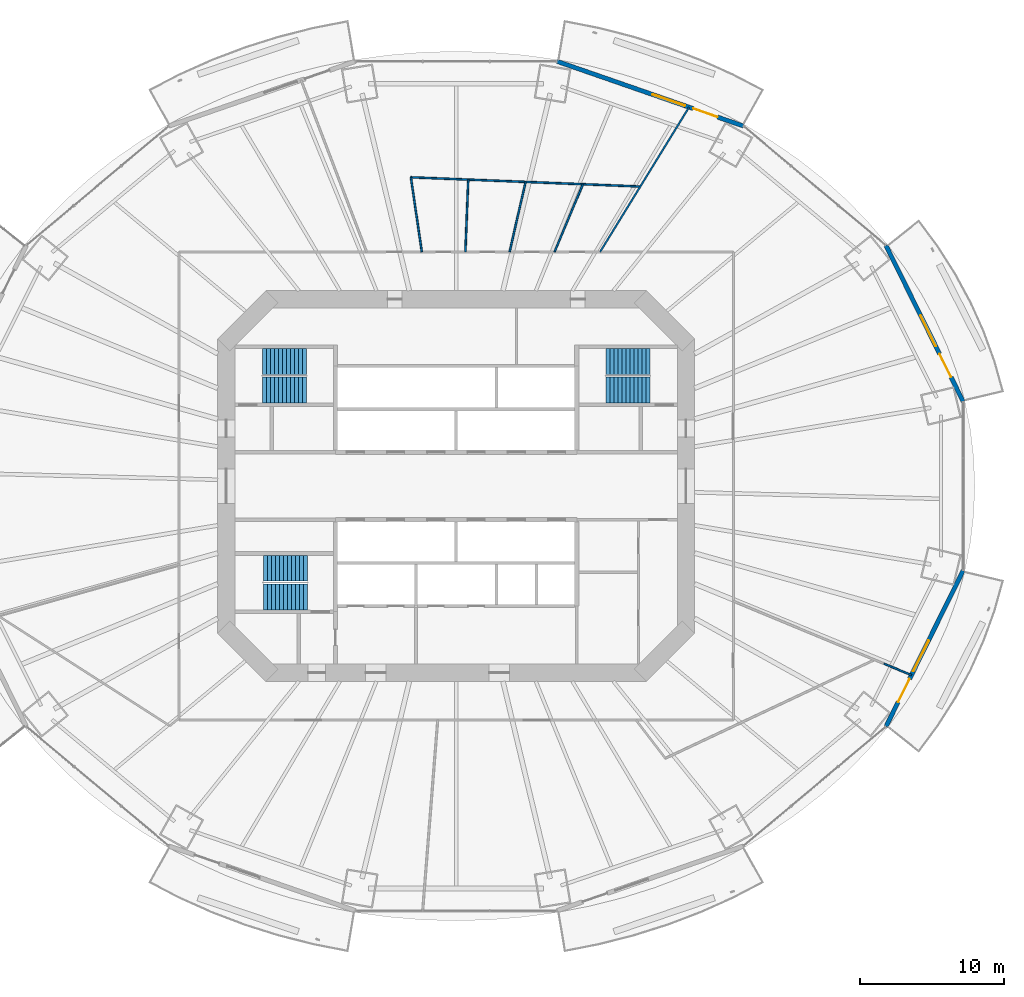
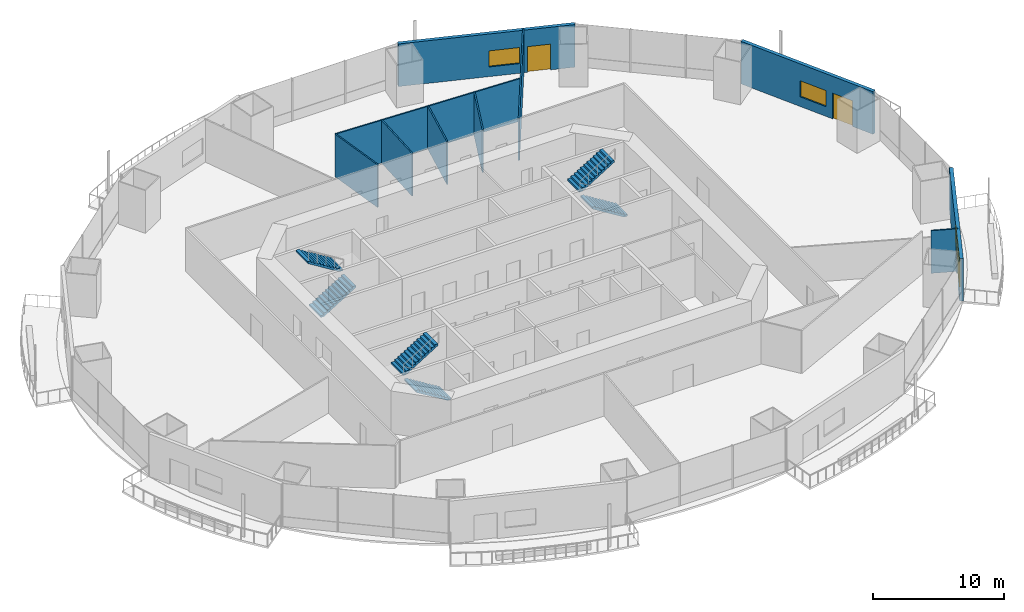
# One storey, part 17 of 23: 10 walls, 6 stair flights, 3 doors, 3 windows, 6 openings, 3 elements without a shape of their own.
"""IFC4 building model written with IfcOpenShell, lengths in metres."""

from ifc_helpers import new_model, si_unit, direction, frame, frame_2d, origin, place, context, subcontext, project, spatial, polyline, rectangle, outline, extrude, material, layer, layer_set, type_object, element, fill, aggregate, save


model = new_model("IFC4")

# Units and contexts
model_context = context("Model", 3, precision=1e-05, world=origin(), true_north=direction((0.0, 1.0)))
body_context = subcontext(model_context, "Body", "Model", "MODEL_VIEW")
ifc_project = project(units=[si_unit("LENGTHUNIT", "METRE"), si_unit("AREAUNIT", "SQUARE_METRE"), si_unit("VOLUMEUNIT", "CUBIC_METRE"), si_unit("PLANEANGLEUNIT", "RADIAN"), si_unit("MASSUNIT", "GRAM", prefix="KILO")], contexts=[model_context])

# Site, building, storey
site_placement = place(None, origin())
site = spatial("IfcSite", under=ifc_project, at=site_placement, CompositionType="ELEMENT")
building_placement = place(site_placement, origin())
building = spatial("IfcBuilding", under=site, at=building_placement, Name="Marenthal Gate Tower", CompositionType="ELEMENT")
storey_placement = place(building_placement, frame((0.0, 0.0, 66.199951171875)))
storey = spatial("IfcBuildingStorey", under=building, at=storey_placement, Name="L12", CompositionType="ELEMENT", Elevation=66.199951171875)

# Walls
ifc_material_1 = material(Name="Gypsum board on steel studs", Category="steel")
ifc_layer_1 = layer(ifc_material_1, 0.1201171875)
ifc_layer_set_1 = layer_set([ifc_layer_1], Name="Partition 120")
wall_type_1 = type_object("IfcWallType", Name="Partition 120", PredefinedType="PARTITIONING", material=ifc_layer_set_1)
wall_1_placement = place(storey_placement, frame((-3.151123046875, 21.496337890625, 0.0), z_axis=(0.0, 0.0, 1.0), x_axis=(0.145038947254, -0.989425946587, 0.0)))
element("IfcWall", 1, at=wall_1_placement, inside=storey, type_object=wall_type_1, Name="Partition wall 53", PredefinedType="PARTITIONING", context=body_context, shape_type="SweptSolid", body=[
    extrude(rectangle(XDim=5.251708984375, YDim=0.1201171875, at=frame_2d((2.6259765625, 0.0))), origin(), (0.0, 0.0, 1.0), 3.969970703125),
])
wall_2_placement = place(storey_placement, frame((0.842041015625, 21.335693359375, 0.0), z_axis=(0.0, 0.0, 1.0), x_axis=(-0.039434056556, -0.999222175086, 0.0)))
element("IfcWall", 2, at=wall_2_placement, inside=storey, type_object=wall_type_1, Name="Partition wall 55", PredefinedType="PARTITIONING", context=body_context, shape_type="SweptSolid", body=[
    extrude(rectangle(XDim=5.03955078125, YDim=0.1201171875, at=frame_2d((2.519775390625, 0.0))), origin(), (0.0, 0.0, 1.0), 3.969970703125),
])
wall_3_placement = place(storey_placement, frame((4.835205078125, 21.175048828125, 0.0), z_axis=(0.0, 0.0, 1.0), x_axis=(-0.222587494033, -0.974912717888, 0.0)))
element("IfcWall", 3, at=wall_3_placement, inside=storey, type_object=wall_type_1, Name="Partition wall 56", PredefinedType="PARTITIONING", context=body_context, shape_type="SweptSolid", body=[
    extrude(rectangle(XDim=5.00048828125, YDim=0.1201171875, at=frame_2d((2.500244140625, 0.0))), origin(), (0.0, 0.0, 1.0), 3.969970703125),
])
wall_4_placement = place(storey_placement, frame((8.82861328125, 21.014404296875, 0.0), z_axis=(0.0, 0.0, 1.0), x_axis=(-0.387346118672, -0.921934370956, 0.0)))
element("IfcWall", 4, at=wall_4_placement, inside=storey, type_object=wall_type_1, Name="Partition wall 57", PredefinedType="PARTITIONING", context=body_context, shape_type="SweptSolid", body=[
    extrude(rectangle(XDim=5.113525390625, YDim=0.1201171875, at=frame_2d((2.556640625, 0.0))), origin(), (0.0, 0.0, 1.0), 3.969970703125),
])
wall_5_placement = place(storey_placement, frame((10.021728515625, 16.300048828125, 0.0), z_axis=(0.0, 0.0, 1.0), x_axis=(0.523760062699, 0.851865832583, 0.0)))
element("IfcWall", 5, at=wall_5_placement, inside=storey, type_object=wall_type_1, Name="Partition wall 58", PredefinedType="PARTITIONING", context=body_context, shape_type="SweptSolid", body=[
    extrude(rectangle(XDim=11.831787109375, YDim=0.1201171875, at=frame_2d((5.916015625, 0.0))), origin(), (0.0, 0.0, 1.0), 3.969970703125),
])
wall_6_placement = place(storey_placement, frame((12.82177734375, 20.85400390625, 0.0), z_axis=(0.0, 0.0, 1.0), x_axis=(-0.999192397074, 0.040181508547, 0.0)))
element("IfcWall", 6, at=wall_6_placement, inside=storey, type_object=wall_type_1, Name="Partition wall 59", PredefinedType="PARTITIONING", context=body_context, shape_type="SweptSolid", body=[
    extrude(rectangle(XDim=15.98583984375, YDim=0.1201171875, at=frame_2d((7.992919921875, 0.0))), origin(), (0.0, 0.0, 1.0), 3.969970703125),
])
wall_7_placement = place(storey_placement, frame((29.786865234375, -12.369140625, 0.0), z_axis=(0.0, 0.0, 1.0), x_axis=(0.923549968256, -0.383478103852, 0.0)))
element("IfcWall", 7, at=wall_7_placement, inside=storey, type_object=wall_type_1, Name="Partition wall 66", PredefinedType="PARTITIONING", context=body_context, shape_type="SweptSolid", body=[
    extrude(rectangle(XDim=2.073486328125, YDim=0.1201171875, at=frame_2d((1.03662109375, 0.0))), origin(), (0.0, 0.0, 1.0), 3.969970703125),
])

# Wall, openings, door, window
ifc_material_2 = material(Name="Terracotta cladding on insulated concrete-block backing", Category="masonry")
ifc_layer_2 = layer(ifc_material_2, 0.300048828125)
ifc_layer_set_2 = layer_set([ifc_layer_2], Name="Terracotta facade wall 300")
wall_type_2 = type_object("IfcWallType", Name="Terracotta facade wall 300", PredefinedType="SOLIDWALL", material=ifc_layer_set_2)
wall_8_placement = place(storey_placement, frame((35.303466796875, 5.8818359375, 0.0), z_axis=(0.0, 0.0, 1.0), x_axis=(-0.443294866901, 0.896375848057, 0.0)))
wall_8 = element("IfcWall", 8, at=wall_8_placement, inside=storey, type_object=wall_type_2, Name="Terracotta facade wall L12 bay 1", PredefinedType="SOLIDWALL", context=body_context, shape_type="SweptSolid", body=[
    extrude(rectangle(XDim=12.12451171875, YDim=0.300048828125, at=frame_2d((6.062255859375, 0.0))), origin(), (0.0, 0.0, 1.0), 3.969970703125),
])
opening_1_placement = place(wall_8_placement, frame((1.89990234375, 0.0, 0.0)))
opening_1 = element("IfcOpeningElement", 9, at=opening_1_placement, cuts=wall_8, Name="Opening BD-L12-01", PredefinedType="OPENING", context=body_context, shape_type="SweptSolid", body=[
    extrude(rectangle(XDim=1.800048828125, YDim=2.39990234375, at=frame_2d((0.89990234375, 1.199951171875))), frame((0.0, 0.16015625, 0.0), z_axis=(0.0, -1.0, 0.0), x_axis=(1.0, 0.0, 0.0)), (0.0, 0.0, 1.0), 0.320068359375),
])
opening_2_placement = place(wall_8_placement, frame((4.300048828125, 0.0, 0.89990234375)))
opening_2 = element("IfcOpeningElement", 10, at=opening_2_placement, cuts=wall_8, Name="Opening WN1-L12-01", PredefinedType="OPENING", context=body_context, shape_type="SweptSolid", body=[
    extrude(rectangle(XDim=2.39990234375, YDim=1.5, at=frame_2d((1.199951171875, 0.75))), frame((0.0, 0.16015625, 0.0), z_axis=(0.0, -1.0, 0.0), x_axis=(1.0, 0.0, 0.0)), (0.0, 0.0, 1.0), 0.320068359375),
])
ifc_material_3 = material(Name="Aluminium and glass", Category="aluminium")
door_type = type_object("IfcDoorType", Name="Balcony door 1800x2400", OperationType="DOUBLE_DOOR_SINGLE_SWING", PredefinedType="DOOR", material=ifc_material_3)
door_1_placement = place(opening_1_placement, origin())
door_1 = element("IfcDoor", 11, at=door_1_placement, inside=storey, type_object=door_type, Name="Balcony door L12 bay 1", OperationType="SINGLE_SWING_LEFT", OverallHeight=2.39990234375, OverallWidth=1.800048828125, PredefinedType="DOOR", context=body_context, shape_type="SweptSolid", body=[
    extrude(rectangle(XDim=1.800048828125, YDim=2.39990234375, at=frame_2d((0.89990234375, 1.199951171875))), frame((0.0, 0.02490234375, 0.0), z_axis=(0.0, -1.0, 0.0), x_axis=(1.0, 0.0, 0.0)), (0.0, 0.0, 1.0), 0.050048828125),
])
fill(opening_1, door_1)
ifc_material_4 = material(Name="Aluminium and glass", Category="aluminium")
window_type = type_object("IfcWindowType", Name="Window 2400x1500", PartitioningType="TRIPLE_PANEL_VERTICAL", PredefinedType="WINDOW", material=ifc_material_4)
window_1_placement = place(opening_2_placement, origin())
window_1 = element("IfcWindow", 12, at=window_1_placement, inside=storey, type_object=window_type, Name="Window L12 bay 1", OverallHeight=1.5, OverallWidth=2.39990234375, PartitioningType="SINGLE_PANEL", PredefinedType="WINDOW", context=body_context, shape_type="SweptSolid", body=[
    extrude(rectangle(XDim=2.39990234375, YDim=1.5, at=frame_2d((1.199951171875, 0.75))), frame((0.0, 0.030029296875, 0.0), z_axis=(0.0, -1.0, 0.0), x_axis=(1.0, 0.0, 0.0)), (0.0, 0.0, 1.0), 0.06005859375),
])
fill(opening_2, window_1)

wall_9_placement = place(storey_placement, frame((19.997802734375, 25.068115234375, 0.0), z_axis=(0.0, 0.0, 1.0), x_axis=(-0.944762678088, 0.327755216727, 0.0)))
wall_9 = element("IfcWall", 13, at=wall_9_placement, inside=storey, type_object=wall_type_2, Name="Terracotta facade wall L12 bay 3", PredefinedType="SOLIDWALL", context=body_context, shape_type="SweptSolid", body=[
    extrude(rectangle(XDim=13.734130859375, YDim=0.300048828125, at=frame_2d((6.8671875, 0.0))), origin(), (0.0, 0.0, 1.0), 3.969970703125),
])
opening_3_placement = place(wall_9_placement, frame((1.89990234375, 0.0, 0.0)))
opening_3 = element("IfcOpeningElement", 14, at=opening_3_placement, cuts=wall_9, Name="Opening BD-L12-03", PredefinedType="OPENING", context=body_context, shape_type="SweptSolid", body=[
    extrude(rectangle(XDim=1.800048828125, YDim=2.39990234375, at=frame_2d((0.89990234375, 1.199951171875))), frame((0.0, 0.16015625, 0.0), z_axis=(0.0, -1.0, 0.0), x_axis=(1.0, 0.0, 0.0)), (0.0, 0.0, 1.0), 0.320068359375),
])
opening_4_placement = place(wall_9_placement, frame((4.300048828125, 0.0, 0.89990234375)))
opening_4 = element("IfcOpeningElement", 15, at=opening_4_placement, cuts=wall_9, Name="Opening WN1-L12-03", PredefinedType="OPENING", context=body_context, shape_type="SweptSolid", body=[
    extrude(rectangle(XDim=2.39990234375, YDim=1.5, at=frame_2d((1.199951171875, 0.75))), frame((0.0, 0.16015625, 0.0), z_axis=(0.0, -1.0, 0.0), x_axis=(1.0, 0.0, 0.0)), (0.0, 0.0, 1.0), 0.320068359375),
])
door_2_placement = place(opening_3_placement, origin())
door_2 = element("IfcDoor", 16, at=door_2_placement, inside=storey, type_object=door_type, Name="Balcony door L12 bay 3", OperationType="SINGLE_SWING_LEFT", OverallHeight=2.39990234375, OverallWidth=1.800048828125, PredefinedType="DOOR", context=body_context, shape_type="SweptSolid", body=[
    extrude(rectangle(XDim=1.800048828125, YDim=2.39990234375, at=frame_2d((0.89990234375, 1.199951171875))), frame((0.0, 0.02490234375, 0.0), z_axis=(0.0, -1.0, 0.0), x_axis=(1.0, 0.0, 0.0)), (0.0, 0.0, 1.0), 0.050048828125),
])
fill(opening_3, door_2)
window_2_placement = place(opening_4_placement, origin())
window_2 = element("IfcWindow", 17, at=window_2_placement, inside=storey, type_object=window_type, Name="Window L12 bay 3", OverallHeight=1.5, OverallWidth=2.39990234375, PartitioningType="SINGLE_PANEL", PredefinedType="WINDOW", context=body_context, shape_type="SweptSolid", body=[
    extrude(rectangle(XDim=2.39990234375, YDim=1.5, at=frame_2d((1.199951171875, 0.75))), frame((0.0, 0.030029296875, 0.0), z_axis=(0.0, -1.0, 0.0), x_axis=(1.0, 0.0, 0.0)), (0.0, 0.0, 1.0), 0.06005859375),
])
fill(opening_4, window_2)

wall_10_placement = place(storey_placement, frame((29.9287109375, -16.75, 0.0), z_axis=(0.0, 0.0, 1.0), x_axis=(0.443294866901, 0.896375848057, 0.0)))
wall_10 = element("IfcWall", 18, at=wall_10_placement, inside=storey, type_object=wall_type_2, Name="Terracotta facade wall L12 bay 15", PredefinedType="SOLIDWALL", context=body_context, shape_type="SweptSolid", body=[
    extrude(rectangle(XDim=12.12451171875, YDim=0.300048828125, at=frame_2d((6.062255859375, 0.0))), origin(), (0.0, 0.0, 1.0), 3.969970703125),
])
opening_5_placement = place(wall_10_placement, frame((1.89990234375, 0.0, 0.0)))
opening_5 = element("IfcOpeningElement", 19, at=opening_5_placement, cuts=wall_10, Name="Opening BD-L12-15", PredefinedType="OPENING", context=body_context, shape_type="SweptSolid", body=[
    extrude(rectangle(XDim=1.800048828125, YDim=2.39990234375, at=frame_2d((0.89990234375, 1.199951171875))), frame((0.0, 0.16015625, 0.0), z_axis=(0.0, -1.0, 0.0), x_axis=(1.0, 0.0, 0.0)), (0.0, 0.0, 1.0), 0.320068359375),
])
opening_6_placement = place(wall_10_placement, frame((4.300048828125, 0.0, 0.89990234375)))
opening_6 = element("IfcOpeningElement", 20, at=opening_6_placement, cuts=wall_10, Name="Opening WN1-L12-15", PredefinedType="OPENING", context=body_context, shape_type="SweptSolid", body=[
    extrude(rectangle(XDim=2.39990234375, YDim=1.5, at=frame_2d((1.199951171875, 0.75))), frame((0.0, 0.16015625, 0.0), z_axis=(0.0, -1.0, 0.0), x_axis=(1.0, 0.0, 0.0)), (0.0, 0.0, 1.0), 0.320068359375),
])
door_3_placement = place(opening_5_placement, origin())
door_3 = element("IfcDoor", 21, at=door_3_placement, inside=storey, type_object=door_type, Name="Balcony door L12 bay 15", OperationType="SINGLE_SWING_LEFT", OverallHeight=2.39990234375, OverallWidth=1.800048828125, PredefinedType="DOOR", context=body_context, shape_type="SweptSolid", body=[
    extrude(rectangle(XDim=1.800048828125, YDim=2.39990234375, at=frame_2d((0.89990234375, 1.199951171875))), frame((0.0, 0.02490234375, 0.0), z_axis=(0.0, -1.0, 0.0), x_axis=(1.0, 0.0, 0.0)), (0.0, 0.0, 1.0), 0.050048828125),
])
fill(opening_5, door_3)
window_3_placement = place(opening_6_placement, origin())
window_3 = element("IfcWindow", 22, at=window_3_placement, inside=storey, type_object=window_type, Name="Window L12 bay 15", OverallHeight=1.5, OverallWidth=2.39990234375, PartitioningType="SINGLE_PANEL", PredefinedType="WINDOW", context=body_context, shape_type="SweptSolid", body=[
    extrude(rectangle(XDim=2.39990234375, YDim=1.5, at=frame_2d((1.199951171875, 0.75))), frame((0.0, 0.030029296875, 0.0), z_axis=(0.0, -1.0, 0.0), x_axis=(1.0, 0.0, 0.0)), (0.0, 0.0, 1.0), 0.06005859375),
])
fill(opening_6, window_3)

# Stair, stair flights
ifc_material_5 = material(Name="Concrete 40 MPa", Category="concrete")
stair_type = type_object("IfcStairType", Name="Exit stair 1800", PredefinedType="HALF_TURN_STAIR", material=ifc_material_5)
stair_1_placement = place(storey_placement, origin())
stair_1 = element("IfcStair", 23, at=stair_1_placement, inside=storey, type_object=stair_type, Name="Stair ST1", PredefinedType="HALF_TURN_STAIR")
ifc_material_6 = material(Name="Concrete 40 MPa", Category="concrete")
stair_flight_type = type_object("IfcStairFlightType", Name="Stair flight 1800", PredefinedType="STRAIGHT", material=ifc_material_6)
stair_flight_1_placement = place(storey_placement, frame((-13.5, 6.675048828125, 0.0), z_axis=(0.0, 0.0, 1.0), x_axis=(1.0, 0.0, 0.0)))
stair_flight_1 = element("IfcStairFlight", 24, at=stair_flight_1_placement, type_object=stair_flight_type, Name="ST1 flight 1", NumberOfRisers=12, NumberOfTreads=11, PredefinedType="STRAIGHT", RiserHeight=0.172916667, TreadLength=0.28, context=body_context, shape_type="SweptSolid", body=[
    extrude(outline(polyline([(0.0, 0.0), (0.0, 0.1728515625), (0.280029296875, 0.1728515625), (0.280029296875, 0.345947265625), (0.56005859375, 0.345947265625), (0.56005859375, 0.518798828125), (0.840087890625, 0.518798828125), (0.840087890625, 0.691650390625), (1.1201171875, 0.691650390625), (1.1201171875, 0.864501953125), (1.39990234375, 0.864501953125), (1.39990234375, 1.03759765625), (1.679931640625, 1.03759765625), (1.679931640625, 1.21044921875), (1.9599609375, 1.21044921875), (1.9599609375, 1.38330078125), (2.239990234375, 1.38330078125), (2.239990234375, 1.55615234375), (2.52001953125, 1.55615234375), (2.52001953125, 1.729248046875), (2.800048828125, 1.729248046875), (2.800048828125, 1.902099609375), (3.080078125, 1.902099609375), (3.080078125, 2.074951171875), (3.080078125, 1.725830078125), (0.285400390625, 0.0), (0.0, 0.0)])), frame((0.0, 0.89990234375, 0.0), z_axis=(0.0, -1.0, 0.0), x_axis=(1.0, 0.0, 0.0)), (0.0, 0.0, 1.0), 1.800048828125),
])
stair_flight_2_placement = place(storey_placement, frame((-10.419921875, 8.675048828125, 2.074951171875), z_axis=(0.0, 0.0, 1.0), x_axis=(-1.0, 0.0, 0.0)))
stair_flight_2 = element("IfcStairFlight", 25, at=stair_flight_2_placement, type_object=stair_flight_type, Name="ST1 flight 2", NumberOfRisers=12, NumberOfTreads=11, PredefinedType="STRAIGHT", RiserHeight=0.172916667, TreadLength=0.28, context=body_context, shape_type="SweptSolid", body=[
    extrude(outline(polyline([(0.0, 0.0), (0.0, 0.1728515625), (0.280029296875, 0.1728515625), (0.280029296875, 0.345947265625), (0.56005859375, 0.345947265625), (0.56005859375, 0.518798828125), (0.840087890625, 0.518798828125), (0.840087890625, 0.691650390625), (1.1201171875, 0.691650390625), (1.1201171875, 0.864501953125), (1.39990234375, 0.864501953125), (1.39990234375, 1.03759765625), (1.679931640625, 1.03759765625), (1.679931640625, 1.21044921875), (1.9599609375, 1.21044921875), (1.9599609375, 1.38330078125), (2.239990234375, 1.38330078125), (2.239990234375, 1.55615234375), (2.52001953125, 1.55615234375), (2.52001953125, 1.729248046875), (2.800048828125, 1.729248046875), (2.800048828125, 1.902099609375), (3.080078125, 1.902099609375), (3.080078125, 2.074951171875), (3.080078125, 1.725830078125), (0.285400390625, 0.0), (0.0, 0.0)])), frame((0.0, 0.89990234375, 0.0), z_axis=(0.0, -1.0, 0.0), x_axis=(1.0, 0.0, 0.0)), (0.0, 0.0, 1.0), 1.800048828125),
])
aggregate(stair_1, [stair_flight_1, stair_flight_2])

stair_2_placement = place(storey_placement, origin())
stair_2 = element("IfcStair", 26, at=stair_2_placement, inside=storey, type_object=stair_type, Name="Stair ST2", PredefinedType="HALF_TURN_STAIR")
stair_flight_3_placement = place(storey_placement, frame((-10.35009765625, -7.72509765625, 0.0), z_axis=(0.0, 0.0, 1.0), x_axis=(-1.0, 0.0, 0.0)))
stair_flight_3 = element("IfcStairFlight", 27, at=stair_flight_3_placement, type_object=stair_flight_type, Name="ST2 flight 1", NumberOfRisers=12, NumberOfTreads=11, PredefinedType="STRAIGHT", RiserHeight=0.172916667, TreadLength=0.28, context=body_context, shape_type="SweptSolid", body=[
    extrude(outline(polyline([(0.0, 0.0), (0.0, 0.1728515625), (0.280029296875, 0.1728515625), (0.280029296875, 0.345947265625), (0.56005859375, 0.345947265625), (0.56005859375, 0.518798828125), (0.840087890625, 0.518798828125), (0.840087890625, 0.691650390625), (1.1201171875, 0.691650390625), (1.1201171875, 0.864501953125), (1.39990234375, 0.864501953125), (1.39990234375, 1.03759765625), (1.679931640625, 1.03759765625), (1.679931640625, 1.21044921875), (1.9599609375, 1.21044921875), (1.9599609375, 1.38330078125), (2.239990234375, 1.38330078125), (2.239990234375, 1.55615234375), (2.52001953125, 1.55615234375), (2.52001953125, 1.729248046875), (2.800048828125, 1.729248046875), (2.800048828125, 1.902099609375), (3.080078125, 1.902099609375), (3.080078125, 2.074951171875), (3.080078125, 1.725830078125), (0.285400390625, 0.0), (0.0, 0.0)])), frame((0.0, 0.89990234375, 0.0), z_axis=(0.0, -1.0, 0.0), x_axis=(1.0, 0.0, 0.0)), (0.0, 0.0, 1.0), 1.800048828125),
])
stair_flight_4_placement = place(storey_placement, frame((-13.429931640625, -5.72509765625, 2.074951171875), z_axis=(0.0, 0.0, 1.0), x_axis=(1.0, 0.0, 0.0)))
stair_flight_4 = element("IfcStairFlight", 28, at=stair_flight_4_placement, type_object=stair_flight_type, Name="ST2 flight 2", NumberOfRisers=12, NumberOfTreads=11, PredefinedType="STRAIGHT", RiserHeight=0.172916667, TreadLength=0.28, context=body_context, shape_type="SweptSolid", body=[
    extrude(outline(polyline([(0.0, 0.0), (0.0, 0.1728515625), (0.280029296875, 0.1728515625), (0.280029296875, 0.345947265625), (0.56005859375, 0.345947265625), (0.56005859375, 0.518798828125), (0.840087890625, 0.518798828125), (0.840087890625, 0.691650390625), (1.1201171875, 0.691650390625), (1.1201171875, 0.864501953125), (1.39990234375, 0.864501953125), (1.39990234375, 1.03759765625), (1.679931640625, 1.03759765625), (1.679931640625, 1.21044921875), (1.9599609375, 1.21044921875), (1.9599609375, 1.38330078125), (2.239990234375, 1.38330078125), (2.239990234375, 1.55615234375), (2.52001953125, 1.55615234375), (2.52001953125, 1.729248046875), (2.800048828125, 1.729248046875), (2.800048828125, 1.902099609375), (3.080078125, 1.902099609375), (3.080078125, 2.074951171875), (3.080078125, 1.725830078125), (0.285400390625, 0.0), (0.0, 0.0)])), frame((0.0, 0.89990234375, 0.0), z_axis=(0.0, -1.0, 0.0), x_axis=(1.0, 0.0, 0.0)), (0.0, 0.0, 1.0), 1.800048828125),
])
aggregate(stair_2, [stair_flight_3, stair_flight_4])

stair_3_placement = place(storey_placement, origin())
stair_3 = element("IfcStair", 29, at=stair_3_placement, inside=storey, type_object=stair_type, Name="Stair ST3", PredefinedType="HALF_TURN_STAIR")
stair_flight_5_placement = place(storey_placement, frame((13.5, 6.675048828125, 0.0), z_axis=(0.0, 0.0, 1.0), x_axis=(-1.0, 0.0, 0.0)))
stair_flight_5 = element("IfcStairFlight", 30, at=stair_flight_5_placement, type_object=stair_flight_type, Name="ST3 flight 1", NumberOfRisers=12, NumberOfTreads=11, PredefinedType="STRAIGHT", RiserHeight=0.172916667, TreadLength=0.28, context=body_context, shape_type="SweptSolid", body=[
    extrude(outline(polyline([(0.0, 0.0), (0.0, 0.1728515625), (0.280029296875, 0.1728515625), (0.280029296875, 0.345947265625), (0.56005859375, 0.345947265625), (0.56005859375, 0.518798828125), (0.840087890625, 0.518798828125), (0.840087890625, 0.691650390625), (1.1201171875, 0.691650390625), (1.1201171875, 0.864501953125), (1.39990234375, 0.864501953125), (1.39990234375, 1.03759765625), (1.679931640625, 1.03759765625), (1.679931640625, 1.21044921875), (1.9599609375, 1.21044921875), (1.9599609375, 1.38330078125), (2.239990234375, 1.38330078125), (2.239990234375, 1.55615234375), (2.52001953125, 1.55615234375), (2.52001953125, 1.729248046875), (2.800048828125, 1.729248046875), (2.800048828125, 1.902099609375), (3.080078125, 1.902099609375), (3.080078125, 2.074951171875), (3.080078125, 1.725830078125), (0.285400390625, 0.0), (0.0, 0.0)])), frame((0.0, 0.89990234375, 0.0), z_axis=(0.0, -1.0, 0.0), x_axis=(1.0, 0.0, 0.0)), (0.0, 0.0, 1.0), 1.800048828125),
])
stair_flight_6_placement = place(storey_placement, frame((10.419921875, 8.675048828125, 2.074951171875), z_axis=(0.0, 0.0, 1.0), x_axis=(1.0, 0.0, 0.0)))
stair_flight_6 = element("IfcStairFlight", 31, at=stair_flight_6_placement, type_object=stair_flight_type, Name="ST3 flight 2", NumberOfRisers=12, NumberOfTreads=11, PredefinedType="STRAIGHT", RiserHeight=0.172916667, TreadLength=0.28, context=body_context, shape_type="SweptSolid", body=[
    extrude(outline(polyline([(0.0, 0.0), (0.0, 0.1728515625), (0.280029296875, 0.1728515625), (0.280029296875, 0.345947265625), (0.56005859375, 0.345947265625), (0.56005859375, 0.518798828125), (0.840087890625, 0.518798828125), (0.840087890625, 0.691650390625), (1.1201171875, 0.691650390625), (1.1201171875, 0.864501953125), (1.39990234375, 0.864501953125), (1.39990234375, 1.03759765625), (1.679931640625, 1.03759765625), (1.679931640625, 1.21044921875), (1.9599609375, 1.21044921875), (1.9599609375, 1.38330078125), (2.239990234375, 1.38330078125), (2.239990234375, 1.55615234375), (2.52001953125, 1.55615234375), (2.52001953125, 1.729248046875), (2.800048828125, 1.729248046875), (2.800048828125, 1.902099609375), (3.080078125, 1.902099609375), (3.080078125, 2.074951171875), (3.080078125, 1.725830078125), (0.285400390625, 0.0), (0.0, 0.0)])), frame((0.0, 0.89990234375, 0.0), z_axis=(0.0, -1.0, 0.0), x_axis=(1.0, 0.0, 0.0)), (0.0, 0.0, 1.0), 1.800048828125),
])
aggregate(stair_3, [stair_flight_5, stair_flight_6])

save(model, "model.ifc")
